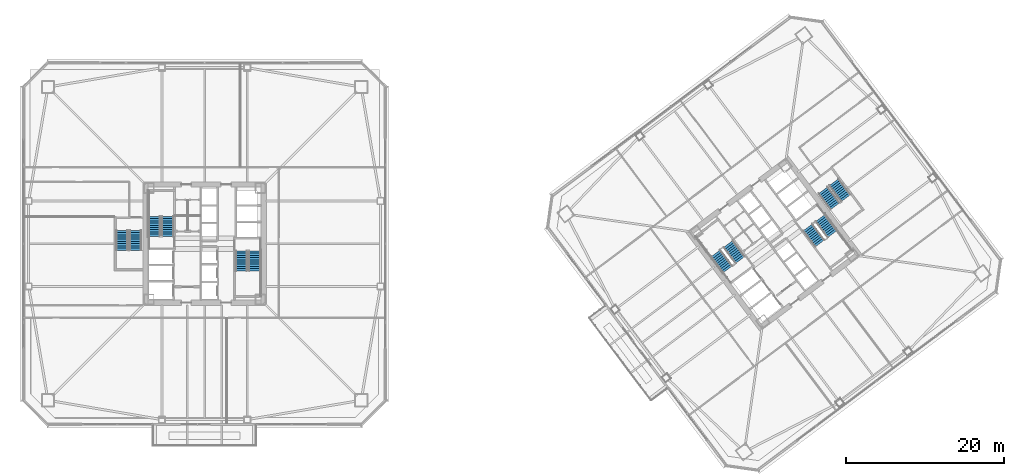
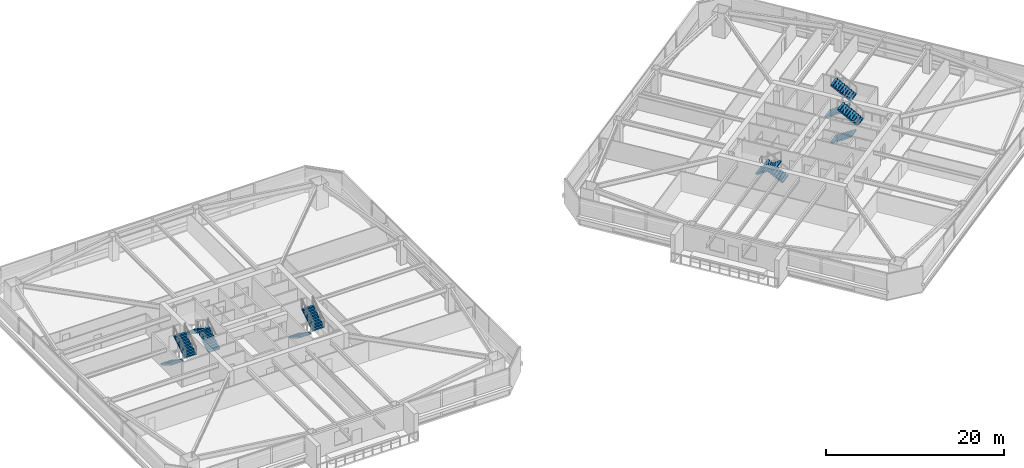
# One storey, part 40 of 46: 12 stair flights, 6 elements without a shape of their own.
"""IFC4 building model written with IfcOpenShell, lengths in metres."""

from ifc_helpers import new_model, si_unit, direction, frame, origin, place, context, subcontext, project, spatial, polyline, outline, extrude, material, type_object, element, aggregate, save


model = new_model("IFC4")

# Units and contexts
model_context = context("Model", 3, precision=1e-05, world=origin(), true_north=direction((0.0, 1.0)))
body_context = subcontext(model_context, "Body", "Model", "MODEL_VIEW")
ifc_project = project(units=[si_unit("LENGTHUNIT", "METRE"), si_unit("AREAUNIT", "SQUARE_METRE"), si_unit("VOLUMEUNIT", "CUBIC_METRE"), si_unit("PLANEANGLEUNIT", "RADIAN"), si_unit("MASSUNIT", "GRAM", prefix="KILO")], contexts=[model_context])

# Site, building, storey
site_placement = place(None, origin())
site = spatial("IfcSite", under=ifc_project, at=site_placement, CompositionType="ELEMENT")
building_placement = place(site_placement, origin())
building = spatial("IfcBuilding", under=site, at=building_placement, Name="Tashvorn Skyway Center", CompositionType="ELEMENT")
storey_placement = place(building_placement, frame((0.0, 0.0, 60.10009765625)))
storey = spatial("IfcBuildingStorey", under=building, at=storey_placement, Name="L15", CompositionType="ELEMENT", Elevation=60.10009765625)

# Stair, stair flights
ifc_material = material(Name="Concrete C40/50", Category="concrete")
stair_type = type_object("IfcStairType", Name="STAIR-CORE-1500", PredefinedType="HALF_TURN_STAIR", material=ifc_material)
stair_1_placement = place(storey_placement, origin())
stair_1 = element("IfcStair", 1, at=stair_1_placement, inside=storey, type_object=stair_type, Name="L15 Tower 1 Exit Stair 1", PredefinedType="HALF_TURN_STAIR")
stair_flight_type = type_object("IfcStairFlightType", Name="SFLIGHT-1500", PredefinedType="STRAIGHT", material=ifc_material)
stair_flight_1_placement = place(storey_placement, frame((37.35009765625, 32.919921875, 0.0), z_axis=(0.0, 0.0, 1.0), x_axis=(0.0, 1.0, 0.0)))
stair_flight_1 = element("IfcStairFlight", 2, at=stair_flight_1_placement, type_object=stair_flight_type, Name="ST-T1-1 flight 1", NumberOfRisers=10, NumberOfTreads=9, PredefinedType="STRAIGHT", RiserHeight=0.1775, TreadLength=0.28, context=body_context, shape_type="SweptSolid", body=[
    extrude(outline(polyline([(0.0, 0.0), (0.0, 0.177490234375), (0.280029296875, 0.177490234375), (0.280029296875, 0.35498046875), (0.56005859375, 0.35498046875), (0.56005859375, 0.532470703125), (0.840087890625, 0.532470703125), (0.840087890625, 0.7099609375), (1.1201171875, 0.7099609375), (1.1201171875, 0.887451171875), (1.39990234375, 0.887451171875), (1.39990234375, 1.06494140625), (1.679931640625, 1.06494140625), (1.679931640625, 1.242431640625), (1.9599609375, 1.242431640625), (1.9599609375, 1.419921875), (2.239990234375, 1.419921875), (2.239990234375, 1.597412109375), (2.52001953125, 1.597412109375), (2.52001953125, 1.77490234375), (2.52001953125, 1.419921875), (0.280029296875, 0.0), (0.0, 0.0)])), frame((0.0, 0.75, 0.0), z_axis=(0.0, -1.0, 0.0), x_axis=(1.0, 0.0, 0.0)), (0.0, 0.0, 1.0), 1.5),
])
stair_flight_2_placement = place(storey_placement, frame((35.64990234375, 35.43994140625, 1.77490234375), z_axis=(0.0, 0.0, 1.0), x_axis=(0.0, -1.0, 0.0)))
stair_flight_2 = element("IfcStairFlight", 3, at=stair_flight_2_placement, type_object=stair_flight_type, Name="ST-T1-1 flight 2", NumberOfRisers=10, NumberOfTreads=9, PredefinedType="STRAIGHT", RiserHeight=0.1775, TreadLength=0.28, context=body_context, shape_type="SweptSolid", body=[
    extrude(outline(polyline([(0.0, 0.0), (0.0, 0.177490234375), (0.280029296875, 0.177490234375), (0.280029296875, 0.35498046875), (0.56005859375, 0.35498046875), (0.56005859375, 0.532470703125), (0.840087890625, 0.532470703125), (0.840087890625, 0.7099609375), (1.1201171875, 0.7099609375), (1.1201171875, 0.887451171875), (1.39990234375, 0.887451171875), (1.39990234375, 1.06494140625), (1.679931640625, 1.06494140625), (1.679931640625, 1.242431640625), (1.9599609375, 1.242431640625), (1.9599609375, 1.419921875), (2.239990234375, 1.419921875), (2.239990234375, 1.597412109375), (2.52001953125, 1.597412109375), (2.52001953125, 1.77490234375), (2.52001953125, 1.419921875), (0.280029296875, 0.0), (0.0, 0.0)])), frame((0.0, 0.75, 0.0), z_axis=(0.0, -1.0, 0.0), x_axis=(1.0, 0.0, 0.0)), (0.0, 0.0, 1.0), 1.5),
])
aggregate(stair_1, [stair_flight_1, stair_flight_2])

stair_2_placement = place(storey_placement, origin())
stair_2 = element("IfcStair", 4, at=stair_2_placement, inside=storey, type_object=stair_type, Name="L15 Tower 1 Exit Stair 2", PredefinedType="HALF_TURN_STAIR")
stair_flight_3_placement = place(storey_placement, frame((46.64990234375, 31.080078125, 0.0), z_axis=(0.0, 0.0, 1.0), x_axis=(0.0, -1.0, 0.0)))
stair_flight_3 = element("IfcStairFlight", 5, at=stair_flight_3_placement, type_object=stair_flight_type, Name="ST-T1-2 flight 1", NumberOfRisers=10, NumberOfTreads=9, PredefinedType="STRAIGHT", RiserHeight=0.1775, TreadLength=0.28, context=body_context, shape_type="SweptSolid", body=[
    extrude(outline(polyline([(0.0, 0.0), (0.0, 0.177490234375), (0.280029296875, 0.177490234375), (0.280029296875, 0.35498046875), (0.56005859375, 0.35498046875), (0.56005859375, 0.532470703125), (0.840087890625, 0.532470703125), (0.840087890625, 0.7099609375), (1.1201171875, 0.7099609375), (1.1201171875, 0.887451171875), (1.39990234375, 0.887451171875), (1.39990234375, 1.06494140625), (1.679931640625, 1.06494140625), (1.679931640625, 1.242431640625), (1.9599609375, 1.242431640625), (1.9599609375, 1.419921875), (2.239990234375, 1.419921875), (2.239990234375, 1.597412109375), (2.52001953125, 1.597412109375), (2.52001953125, 1.77490234375), (2.52001953125, 1.419921875), (0.280029296875, 0.0), (0.0, 0.0)])), frame((0.0, 0.75, 0.0), z_axis=(0.0, -1.0, 0.0), x_axis=(1.0, 0.0, 0.0)), (0.0, 0.0, 1.0), 1.5),
])
stair_flight_4_placement = place(storey_placement, frame((48.35009765625, 28.56005859375, 1.77490234375), z_axis=(0.0, 0.0, 1.0), x_axis=(0.0, 1.0, 0.0)))
stair_flight_4 = element("IfcStairFlight", 6, at=stair_flight_4_placement, type_object=stair_flight_type, Name="ST-T1-2 flight 2", NumberOfRisers=10, NumberOfTreads=9, PredefinedType="STRAIGHT", RiserHeight=0.1775, TreadLength=0.28, context=body_context, shape_type="SweptSolid", body=[
    extrude(outline(polyline([(0.0, 0.0), (0.0, 0.177490234375), (0.280029296875, 0.177490234375), (0.280029296875, 0.35498046875), (0.56005859375, 0.35498046875), (0.56005859375, 0.532470703125), (0.840087890625, 0.532470703125), (0.840087890625, 0.7099609375), (1.1201171875, 0.7099609375), (1.1201171875, 0.887451171875), (1.39990234375, 0.887451171875), (1.39990234375, 1.06494140625), (1.679931640625, 1.06494140625), (1.679931640625, 1.242431640625), (1.9599609375, 1.242431640625), (1.9599609375, 1.419921875), (2.239990234375, 1.419921875), (2.239990234375, 1.597412109375), (2.52001953125, 1.597412109375), (2.52001953125, 1.77490234375), (2.52001953125, 1.419921875), (0.280029296875, 0.0), (0.0, 0.0)])), frame((0.0, 0.75, 0.0), z_axis=(0.0, -1.0, 0.0), x_axis=(1.0, 0.0, 0.0)), (0.0, 0.0, 1.0), 1.5),
])
aggregate(stair_2, [stair_flight_3, stair_flight_4])

stair_3_placement = place(storey_placement, origin())
stair_3 = element("IfcStair", 7, at=stair_3_placement, inside=storey, type_object=stair_type, Name="L15 Tower 2 Exit Stair 1", PredefinedType="HALF_TURN_STAIR")
stair_flight_5_placement = place(storey_placement, frame((109.72802734375, 29.946044921875, 0.0), z_axis=(0.0, 0.0, 1.0), x_axis=(-0.600000004945, 0.799999996291, 0.0)))
stair_flight_5 = element("IfcStairFlight", 8, at=stair_flight_5_placement, type_object=stair_flight_type, Name="ST-T2-1 flight 1", NumberOfRisers=10, NumberOfTreads=9, PredefinedType="STRAIGHT", RiserHeight=0.1775, TreadLength=0.28, context=body_context, shape_type="SweptSolid", body=[
    extrude(outline(polyline([(0.0, 0.0), (0.0, 0.177490234375), (0.280029296875, 0.177490234375), (0.280029296875, 0.35498046875), (0.56005859375, 0.35498046875), (0.56005859375, 0.532470703125), (0.840087890625, 0.532470703125), (0.840087890625, 0.7099609375), (1.1201171875, 0.7099609375), (1.1201171875, 0.887451171875), (1.39990234375, 0.887451171875), (1.39990234375, 1.06494140625), (1.679931640625, 1.06494140625), (1.679931640625, 1.242431640625), (1.9599609375, 1.242431640625), (1.9599609375, 1.419921875), (2.239990234375, 1.419921875), (2.239990234375, 1.597412109375), (2.52001953125, 1.597412109375), (2.52001953125, 1.77490234375), (2.52001953125, 1.419921875), (0.280029296875, 0.0), (0.0, 0.0)])), frame((0.0, 0.75, 0.0), z_axis=(0.0, -1.0, 0.0), x_axis=(1.0, 0.0, 0.0)), (0.0, 0.0, 1.0), 1.5),
])
stair_flight_6_placement = place(storey_placement, frame((106.632080078125, 30.77392578125, 1.77490234375), z_axis=(0.0, 0.0, 1.0), x_axis=(0.600000004945, -0.799999996291, 0.0)))
stair_flight_6 = element("IfcStairFlight", 9, at=stair_flight_6_placement, type_object=stair_flight_type, Name="ST-T2-1 flight 2", NumberOfRisers=10, NumberOfTreads=9, PredefinedType="STRAIGHT", RiserHeight=0.1775, TreadLength=0.28, context=body_context, shape_type="SweptSolid", body=[
    extrude(outline(polyline([(0.0, 0.0), (0.0, 0.177490234375), (0.280029296875, 0.177490234375), (0.280029296875, 0.35498046875), (0.56005859375, 0.35498046875), (0.56005859375, 0.532470703125), (0.840087890625, 0.532470703125), (0.840087890625, 0.7099609375), (1.1201171875, 0.7099609375), (1.1201171875, 0.887451171875), (1.39990234375, 0.887451171875), (1.39990234375, 1.06494140625), (1.679931640625, 1.06494140625), (1.679931640625, 1.242431640625), (1.9599609375, 1.242431640625), (1.9599609375, 1.419921875), (2.239990234375, 1.419921875), (2.239990234375, 1.597412109375), (2.52001953125, 1.597412109375), (2.52001953125, 1.77490234375), (2.52001953125, 1.419921875), (0.280029296875, 0.0), (0.0, 0.0)])), frame((0.0, 0.75, 0.0), z_axis=(0.0, -1.0, 0.0), x_axis=(1.0, 0.0, 0.0)), (0.0, 0.0, 1.0), 1.5),
])
aggregate(stair_3, [stair_flight_5, stair_flight_6])

stair_4_placement = place(storey_placement, origin())
stair_4 = element("IfcStair", 10, at=stair_4_placement, inside=storey, type_object=stair_type, Name="L15 Tower 2 Exit Stair 2", PredefinedType="HALF_TURN_STAIR")
stair_flight_7_placement = place(storey_placement, frame((118.27197265625, 34.053955078125, 0.0), z_axis=(0.0, 0.0, 1.0), x_axis=(0.600000004945, -0.799999996291, 0.0)))
stair_flight_7 = element("IfcStairFlight", 11, at=stair_flight_7_placement, type_object=stair_flight_type, Name="ST-T2-2 flight 1", NumberOfRisers=10, NumberOfTreads=9, PredefinedType="STRAIGHT", RiserHeight=0.1775, TreadLength=0.28, context=body_context, shape_type="SweptSolid", body=[
    extrude(outline(polyline([(0.0, 0.0), (0.0, 0.177490234375), (0.280029296875, 0.177490234375), (0.280029296875, 0.35498046875), (0.56005859375, 0.35498046875), (0.56005859375, 0.532470703125), (0.840087890625, 0.532470703125), (0.840087890625, 0.7099609375), (1.1201171875, 0.7099609375), (1.1201171875, 0.887451171875), (1.39990234375, 0.887451171875), (1.39990234375, 1.06494140625), (1.679931640625, 1.06494140625), (1.679931640625, 1.242431640625), (1.9599609375, 1.242431640625), (1.9599609375, 1.419921875), (2.239990234375, 1.419921875), (2.239990234375, 1.597412109375), (2.52001953125, 1.597412109375), (2.52001953125, 1.77490234375), (2.52001953125, 1.419921875), (0.280029296875, 0.0), (0.0, 0.0)])), frame((0.0, 0.75, 0.0), z_axis=(0.0, -1.0, 0.0), x_axis=(1.0, 0.0, 0.0)), (0.0, 0.0, 1.0), 1.5),
])
stair_flight_8_placement = place(storey_placement, frame((121.367919921875, 33.22607421875, 1.77490234375), z_axis=(0.0, 0.0, 1.0), x_axis=(-0.600000004945, 0.799999996291, 0.0)))
stair_flight_8 = element("IfcStairFlight", 12, at=stair_flight_8_placement, type_object=stair_flight_type, Name="ST-T2-2 flight 2", NumberOfRisers=10, NumberOfTreads=9, PredefinedType="STRAIGHT", RiserHeight=0.1775, TreadLength=0.28, context=body_context, shape_type="SweptSolid", body=[
    extrude(outline(polyline([(0.0, 0.0), (0.0, 0.177490234375), (0.280029296875, 0.177490234375), (0.280029296875, 0.35498046875), (0.56005859375, 0.35498046875), (0.56005859375, 0.532470703125), (0.840087890625, 0.532470703125), (0.840087890625, 0.7099609375), (1.1201171875, 0.7099609375), (1.1201171875, 0.887451171875), (1.39990234375, 0.887451171875), (1.39990234375, 1.06494140625), (1.679931640625, 1.06494140625), (1.679931640625, 1.242431640625), (1.9599609375, 1.242431640625), (1.9599609375, 1.419921875), (2.239990234375, 1.419921875), (2.239990234375, 1.597412109375), (2.52001953125, 1.597412109375), (2.52001953125, 1.77490234375), (2.52001953125, 1.419921875), (0.280029296875, 0.0), (0.0, 0.0)])), frame((0.0, 0.75, 0.0), z_axis=(0.0, -1.0, 0.0), x_axis=(1.0, 0.0, 0.0)), (0.0, 0.0, 1.0), 1.5),
])
aggregate(stair_4, [stair_flight_7, stair_flight_8])

stair_5_placement = place(storey_placement, origin())
stair_5 = element("IfcStair", 13, at=stair_5_placement, inside=storey, type_object=stair_type, Name="L15 Tower 1 Exit Stair 3", PredefinedType="HALF_TURN_STAIR")
stair_flight_9_placement = place(storey_placement, frame((31.550048828125, 33.679931640625, 0.0), z_axis=(0.0, 0.0, 1.0), x_axis=(0.0, -1.0, 0.0)))
stair_flight_9 = element("IfcStairFlight", 14, at=stair_flight_9_placement, type_object=stair_flight_type, Name="ST-T1-3 flight 1", NumberOfRisers=10, NumberOfTreads=9, PredefinedType="STRAIGHT", RiserHeight=0.1775, TreadLength=0.28, context=body_context, shape_type="SweptSolid", body=[
    extrude(outline(polyline([(0.0, 0.0), (0.0, 0.177490234375), (0.280029296875, 0.177490234375), (0.280029296875, 0.35498046875), (0.56005859375, 0.35498046875), (0.56005859375, 0.532470703125), (0.840087890625, 0.532470703125), (0.840087890625, 0.7099609375), (1.1201171875, 0.7099609375), (1.1201171875, 0.887451171875), (1.39990234375, 0.887451171875), (1.39990234375, 1.06494140625), (1.679931640625, 1.06494140625), (1.679931640625, 1.242431640625), (1.9599609375, 1.242431640625), (1.9599609375, 1.419921875), (2.239990234375, 1.419921875), (2.239990234375, 1.597412109375), (2.52001953125, 1.597412109375), (2.52001953125, 1.77490234375), (2.52001953125, 1.419921875), (0.280029296875, 0.0), (0.0, 0.0)])), frame((0.0, 0.75, 0.0), z_axis=(0.0, -1.0, 0.0), x_axis=(1.0, 0.0, 0.0)), (0.0, 0.0, 1.0), 1.5),
])
stair_flight_10_placement = place(storey_placement, frame((33.25, 31.159912109375, 1.77490234375), z_axis=(0.0, 0.0, 1.0), x_axis=(0.0, 1.0, 0.0)))
stair_flight_10 = element("IfcStairFlight", 15, at=stair_flight_10_placement, type_object=stair_flight_type, Name="ST-T1-3 flight 2", NumberOfRisers=10, NumberOfTreads=9, PredefinedType="STRAIGHT", RiserHeight=0.1775, TreadLength=0.28, context=body_context, shape_type="SweptSolid", body=[
    extrude(outline(polyline([(0.0, 0.0), (0.0, 0.177490234375), (0.280029296875, 0.177490234375), (0.280029296875, 0.35498046875), (0.56005859375, 0.35498046875), (0.56005859375, 0.532470703125), (0.840087890625, 0.532470703125), (0.840087890625, 0.7099609375), (1.1201171875, 0.7099609375), (1.1201171875, 0.887451171875), (1.39990234375, 0.887451171875), (1.39990234375, 1.06494140625), (1.679931640625, 1.06494140625), (1.679931640625, 1.242431640625), (1.9599609375, 1.242431640625), (1.9599609375, 1.419921875), (2.239990234375, 1.419921875), (2.239990234375, 1.597412109375), (2.52001953125, 1.597412109375), (2.52001953125, 1.77490234375), (2.52001953125, 1.419921875), (0.280029296875, 0.0), (0.0, 0.0)])), frame((0.0, 0.75, 0.0), z_axis=(0.0, -1.0, 0.0), x_axis=(1.0, 0.0, 0.0)), (0.0, 0.0, 1.0), 1.5),
])
aggregate(stair_5, [stair_flight_9, stair_flight_10])

stair_6_placement = place(storey_placement, origin())
stair_6 = element("IfcStair", 16, at=stair_6_placement, inside=storey, type_object=stair_type, Name="L15 Tower 2 Exit Stair 3", PredefinedType="HALF_TURN_STAIR")
stair_flight_11_placement = place(storey_placement, frame((120.216064453125, 38.761962890625, 0.0), z_axis=(0.0, 0.0, 1.0), x_axis=(0.600000004945, -0.799999996291, 0.0)))
stair_flight_11 = element("IfcStairFlight", 17, at=stair_flight_11_placement, type_object=stair_flight_type, Name="ST-T2-3 flight 1", NumberOfRisers=10, NumberOfTreads=9, PredefinedType="STRAIGHT", RiserHeight=0.1775, TreadLength=0.28, context=body_context, shape_type="SweptSolid", body=[
    extrude(outline(polyline([(0.0, 0.0), (0.0, 0.177490234375), (0.280029296875, 0.177490234375), (0.280029296875, 0.35498046875), (0.56005859375, 0.35498046875), (0.56005859375, 0.532470703125), (0.840087890625, 0.532470703125), (0.840087890625, 0.7099609375), (1.1201171875, 0.7099609375), (1.1201171875, 0.887451171875), (1.39990234375, 0.887451171875), (1.39990234375, 1.06494140625), (1.679931640625, 1.06494140625), (1.679931640625, 1.242431640625), (1.9599609375, 1.242431640625), (1.9599609375, 1.419921875), (2.239990234375, 1.419921875), (2.239990234375, 1.597412109375), (2.52001953125, 1.597412109375), (2.52001953125, 1.77490234375), (2.52001953125, 1.419921875), (0.280029296875, 0.0), (0.0, 0.0)])), frame((0.0, 0.75, 0.0), z_axis=(0.0, -1.0, 0.0), x_axis=(1.0, 0.0, 0.0)), (0.0, 0.0, 1.0), 1.5),
])
stair_flight_12_placement = place(storey_placement, frame((123.087890625, 37.76611328125, 1.77490234375), z_axis=(0.0, 0.0, 1.0), x_axis=(-0.600000004945, 0.799999996291, 0.0)))
stair_flight_12 = element("IfcStairFlight", 18, at=stair_flight_12_placement, type_object=stair_flight_type, Name="ST-T2-3 flight 2", NumberOfRisers=10, NumberOfTreads=9, PredefinedType="STRAIGHT", RiserHeight=0.1775, TreadLength=0.28, context=body_context, shape_type="SweptSolid", body=[
    extrude(outline(polyline([(0.0, 0.0), (0.0, 0.177490234375), (0.280029296875, 0.177490234375), (0.280029296875, 0.35498046875), (0.56005859375, 0.35498046875), (0.56005859375, 0.532470703125), (0.840087890625, 0.532470703125), (0.840087890625, 0.7099609375), (1.1201171875, 0.7099609375), (1.1201171875, 0.887451171875), (1.39990234375, 0.887451171875), (1.39990234375, 1.06494140625), (1.679931640625, 1.06494140625), (1.679931640625, 1.242431640625), (1.9599609375, 1.242431640625), (1.9599609375, 1.419921875), (2.239990234375, 1.419921875), (2.239990234375, 1.597412109375), (2.52001953125, 1.597412109375), (2.52001953125, 1.77490234375), (2.52001953125, 1.419921875), (0.280029296875, 0.0), (0.0, 0.0)])), frame((0.0, 0.75, 0.0), z_axis=(0.0, -1.0, 0.0), x_axis=(1.0, 0.0, 0.0)), (0.0, 0.0, 1.0), 1.5),
])
aggregate(stair_6, [stair_flight_11, stair_flight_12])

save(model, "model.ifc")
